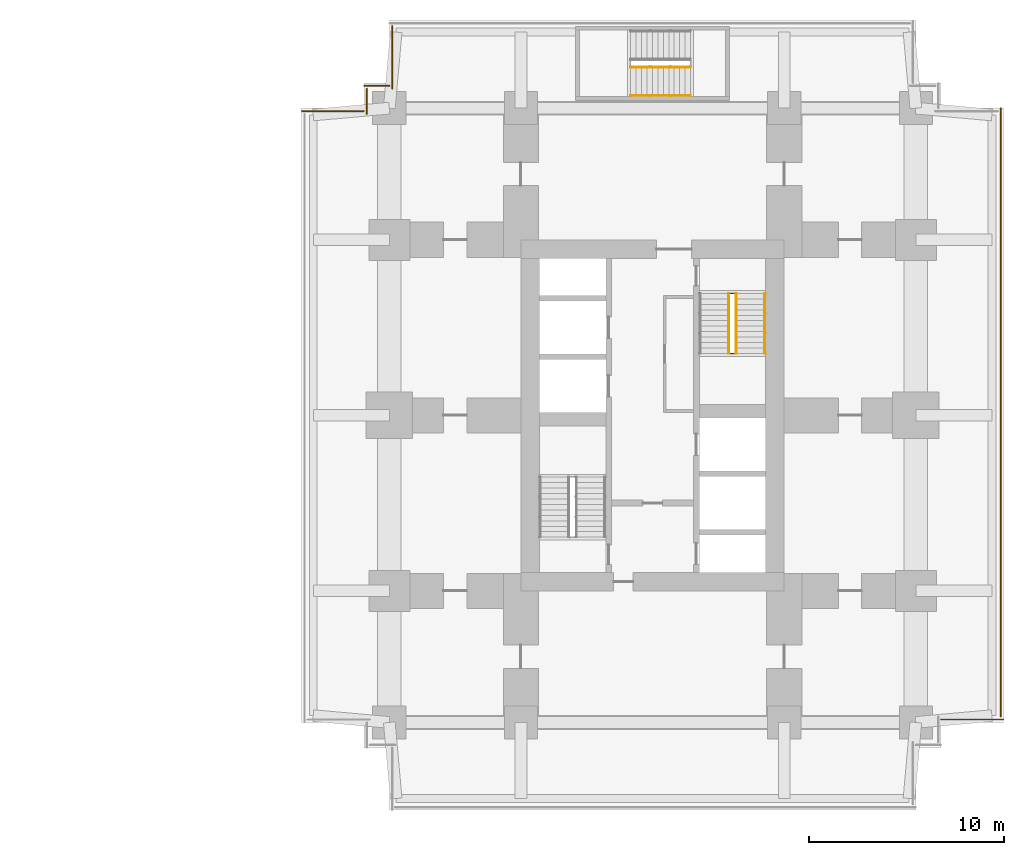
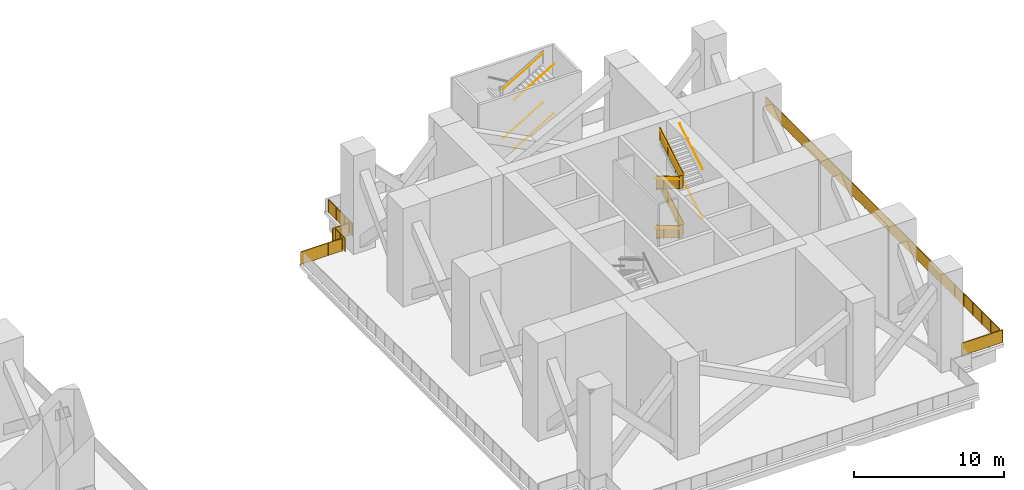
# One storey, part 11 of 12: 17 railings.
"""IFC4 building model written with IfcOpenShell, lengths in metres."""

import ifcopenshell
import ifcopenshell.guid

model = None  # the IFC model being written
_history = None  # IfcOwnerHistory: only IFC2X3 demands one
_inside = {}  # id of a spatial element -> (the spatial element, [elements in it])
_under = {}  # id of a project, library or spatial element -> (it, [spatial elements below it])
_declared = {}  # id of a project -> (the project, [libraries it declares])
_typed = {}  # id of a type object -> (the type object, [elements of that type])
_made_of = {}  # id of a material, layer set ... -> (it, [elements and type objects made of it])


def new_model(schema):
    """Start an empty IFC model of exactly this schema.

    Asked for "IFC4X3", IfcOpenShell would pick the latest addendum, in which some entities
    have other attributes; the version numbers below select the first issue.
    IFC2X3 requires an IfcOwnerHistory on every rooted entity: one is made here for all.
    """
    global model, _history
    if schema == "IFC4X3":
        model = ifcopenshell.file(schema_version=(4, 3, 0, 0))
    else:
        model = ifcopenshell.file(schema=schema)
    _inside.clear()
    _under.clear()
    _declared.clear()
    _typed.clear()
    _made_of.clear()
    _history = None
    if model.schema == "IFC2X3":
        org = make("IfcOrganization", Name="unknown")
        user = make(
            "IfcPersonAndOrganization",
            ThePerson=make("IfcPerson", FamilyName="unknown"),
            TheOrganization=org,
        )
        app = make(
            "IfcApplication",
            ApplicationDeveloper=org,
            Version="unknown",
            ApplicationFullName="unknown",
            ApplicationIdentifier="unknown",
        )
        _history = make(
            "IfcOwnerHistory",
            OwningUser=user,
            OwningApplication=app,
            ChangeAction="ADDED",
            CreationDate=0,
        )
    return model


def make(cls, **values):
    """One entity of the class cls with the attributes given. An attribute that is None is left unset."""
    return model.create_entity(
        cls, **{name: value for name, value in values.items() if value is not None}
    )


def rooted(cls, **values):
    """An entity with a GlobalId (a new one), such as an element, a storey or a relation."""
    return make(cls, GlobalId=ifcopenshell.guid.new(), OwnerHistory=_history, **values)


def si_unit(unit_type, name, prefix=None):
    """IfcSIUnit, for example si_unit("LENGTHUNIT", "METRE", prefix="MILLI")."""
    return make("IfcSIUnit", UnitType=unit_type, Prefix=prefix, Name=name)


def assignment(units):
    """IfcUnitAssignment: the units of a project."""
    return None if units is None else make("IfcUnitAssignment", Units=units)


def point(xyz):
    """IfcCartesianPoint."""
    return None if xyz is None else make("IfcCartesianPoint", Coordinates=xyz)


def direction(xyz):
    """IfcDirection."""
    return None if xyz is None else make("IfcDirection", DirectionRatios=xyz)


def frame(location, z_axis=None, x_axis=None):
    """IfcAxis2Placement3D, a coordinate frame: its origin and axes. An axis left out is left unset."""
    return make(
        "IfcAxis2Placement3D",
        Location=point(location),
        Axis=direction(z_axis),
        RefDirection=direction(x_axis),
    )


def frame_2d(location, x_axis=None):
    """IfcAxis2Placement2D, a coordinate frame in the plane: its origin and x axis."""
    return make(
        "IfcAxis2Placement2D", Location=point(location), RefDirection=direction(x_axis)
    )


def origin():
    """The frame at (0, 0, 0) with its axes left unset."""
    return frame((0.0, 0.0, 0.0))


def origin_2d():
    """The frame at (0, 0) in the plane with its x axis left unset."""
    return frame_2d((0.0, 0.0))


def place(relative_to, where):
    """IfcLocalPlacement: puts the frame where relative to a parent placement (None: the world)."""
    return make(
        "IfcLocalPlacement", PlacementRelTo=relative_to, RelativePlacement=where
    )


def context(
    kind, dimensions, precision=None, world=None, true_north=None, identifier=None
):
    """IfcGeometricRepresentationContext, for example the 3D "Model" context."""
    return make(
        "IfcGeometricRepresentationContext",
        ContextIdentifier=identifier,
        ContextType=kind,
        CoordinateSpaceDimension=dimensions,
        Precision=precision,
        WorldCoordinateSystem=world,
        TrueNorth=true_north,
    )


def subcontext(parent, identifier, kind, view, scale=None):
    """IfcGeometricRepresentationSubContext, for example "Body" below "Model"."""
    return make(
        "IfcGeometricRepresentationSubContext",
        ContextIdentifier=identifier,
        ContextType=kind,
        ParentContext=parent,
        TargetScale=scale,
        TargetView=view,
    )


def project(units=None, contexts=None):
    """IfcProject with its units and contexts."""
    return rooted(
        "IfcProject",
        Name="project",
        RepresentationContexts=contexts,
        UnitsInContext=assignment(units),
    )


def spatial(cls, under=None, at=None, **own):
    """A site, building, storey or space (cls), placed at a placement, below another one or the project."""
    s = rooted(cls, ObjectPlacement=at, **own)
    if under is not None:
        _under.setdefault(under.id(), (under, []))[1].append(s)
    return s


def polyline(points):
    """IfcPolyline through the points."""
    return make("IfcPolyline", Points=[point(p) for p in points])


def profile(cls, at=None, kind="AREA", **sizes):
    """A parametric profile (cls). Its sizes go by their IFC names, for example OverallWidth=200.0."""
    return make(cls, ProfileType=kind, Position=at, **sizes)


def circle(**sizes):
    """IfcCircleProfileDef."""
    return profile("IfcCircleProfileDef", **sizes)


def outline(outer, holes=None, kind="AREA"):
    """IfcArbitraryClosedProfileDef: a profile drawn as a closed curve; with holes, ...WithVoids."""
    if holes is None:
        return make("IfcArbitraryClosedProfileDef", ProfileType=kind, OuterCurve=outer)
    return make(
        "IfcArbitraryProfileDefWithVoids",
        ProfileType=kind,
        OuterCurve=outer,
        InnerCurves=holes,
    )


def extrude(swept, where, along, depth):
    """IfcExtrudedAreaSolid: the profile swept, set in the frame where, extruded along a direction by depth."""
    return make(
        "IfcExtrudedAreaSolid",
        SweptArea=swept,
        Position=where,
        ExtrudedDirection=direction(along),
        Depth=depth,
    )


def shape(context_of_items, identifier, shape_type, items):
    """IfcShapeRepresentation: the items that make up one representation, for example the "Body"."""
    return make(
        "IfcShapeRepresentation",
        ContextOfItems=context_of_items,
        RepresentationIdentifier=identifier,
        RepresentationType=shape_type,
        Items=items,
    )


def material(Name=None, Category=None):
    """IfcMaterial."""
    return make("IfcMaterial", Name=Name, Category=Category)


def made_of(thing, what):
    """Note that an element or type object is made of a material, layer set ...; save() writes the relation."""
    if what is not None:
        _made_of.setdefault(what.id(), (what, []))[1].append(thing)
    return thing


def type_object(cls, material=None, **own):
    """A type object (cls), such as IfcWallType, which elements share."""
    return made_of(rooted(cls, **own), material)


def element(
    cls,
    number,
    at=None,
    inside=None,
    cuts=None,
    type_object=None,
    material=None,
    context=None,
    identifier="Body",
    shape_type=None,
    held_by="IfcProductDefinitionShape",
    body=None,
    shapes=None,
    **own,
):
    """One element of the class cls, such as IfcWall. Its Tag is "e" and its number.

    at: its placement. inside: the storey or other place that contains it. cuts: it is an
    opening in that element (IfcRelVoidsElement). A single representation is given by context,
    identifier, shape_type and body (its items); several are given by shapes. held_by: the class
    of the entity that holds the representations. save() writes the other relations.
    """
    e = rooted(cls, Tag="e%d" % number, ObjectPlacement=at, **own)
    if body is not None:
        shapes = [shape(context, identifier, shape_type, body)]
    if shapes is not None:
        e.Representation = make(held_by, Representations=shapes)
    if inside is not None:
        _inside.setdefault(inside.id(), (inside, []))[1].append(e)
    if cuts is not None:
        rooted(
            "IfcRelVoidsElement", RelatingBuildingElement=cuts, RelatedOpeningElement=e
        )
    if type_object is not None:
        _typed.setdefault(type_object.id(), (type_object, []))[1].append(e)
    return made_of(e, material)


def aggregate(whole, parts):
    """IfcRelAggregates: a whole, such as a stair, and the parts it consists of."""
    return rooted("IfcRelAggregates", RelatingObject=whole, RelatedObjects=parts)


def save(model, path):
    """Write the relations noted so far, then the file.

    IfcRelAggregates (storeys below a building ...), IfcRelContainedInSpatialStructure (elements
    in a storey), IfcRelDefinesByType, IfcRelAssociatesMaterial and IfcRelDeclares: one each for
    every whole, place, type object, material and project.
    """
    for whole, parts in _under.values():
        aggregate(whole, parts)
    for where, things in _inside.values():
        rooted(
            "IfcRelContainedInSpatialStructure",
            RelatedElements=things,
            RelatingStructure=where,
        )
    for kind, things in _typed.values():
        rooted("IfcRelDefinesByType", RelatedObjects=things, RelatingType=kind)
    for what, things in _made_of.values():
        rooted("IfcRelAssociatesMaterial", RelatedObjects=things, RelatingMaterial=what)
    for by, libraries in _declared.values():
        rooted("IfcRelDeclares", RelatingContext=by, RelatedDefinitions=libraries)
    model.write(path)


model = new_model("IFC4")

# Units and contexts
model_context = context("Model", 3, precision=1e-05, world=origin(), true_north=direction((0.0, 1.0)))
body_context = subcontext(model_context, "Body", "Model", "MODEL_VIEW")
ifc_project = project(units=[si_unit("LENGTHUNIT", "METRE"), si_unit("AREAUNIT", "SQUARE_METRE"), si_unit("VOLUMEUNIT", "CUBIC_METRE"), si_unit("PLANEANGLEUNIT", "RADIAN"), si_unit("MASSUNIT", "GRAM", prefix="KILO")], contexts=[model_context])

# Site, building, storey
site_placement = place(None, origin())
site = spatial("IfcSite", under=ifc_project, at=site_placement, CompositionType="ELEMENT")
building_placement = place(site_placement, origin())
building = spatial("IfcBuilding", under=site, at=building_placement, Name="Namib Vertical Campus", CompositionType="ELEMENT")
storey_placement = place(building_placement, frame((0.0, 0.0, 77.0)))
storey = spatial("IfcBuildingStorey", under=building, at=storey_placement, Name="L18", CompositionType="ELEMENT", Elevation=77.0)

# Railings
ifc_material_1 = material(Name="Toughened glass balustrade", Category="glass")
railing_type_1 = type_object("IfcRailingType", Name="Edge guard 1100", PredefinedType="GUARDRAIL", material=ifc_material_1)
railing_1_placement = place(storey_placement, frame((95.800048828125, 4.64990234375, 0.0)))
element("IfcRailing", 1, at=railing_1_placement, inside=storey, type_object=railing_type_1, Name="Refuge edge guard GR2 B L18 5", PredefinedType="GUARDRAIL", context=body_context, shape_type="SweptSolid", body=[
    extrude(circle(Radius=0.02392578125, at=origin_2d()), frame((0.0, 0.0, 1.076171875), z_axis=(1.0, 0.0, 0.0), x_axis=(0.0, 1.0, 0.0)), (0.0, 0.0, 1.0), 3.199951171875),
    extrude(outline(polyline([(0.02099609375, 0.050048828125), (3.178955078125, 0.050048828125), (3.178955078125, 1.052001953125), (0.02099609375, 1.052001953125), (0.02099609375, 0.050048828125)])), frame((0.0, 0.0107421875, 0.0), z_axis=(0.0, -1.0, 0.0), x_axis=(1.0, 0.0, 0.0)), (0.0, 0.0, 1.0), 0.021484375),
    extrude(circle(Radius=0.02099609375, at=origin_2d()), origin(), (0.0, 0.0, 1.0), 1.052001953125),
    extrude(circle(Radius=0.02099609375, at=origin_2d()), frame((1.066650390625, 0.0, 0.0)), (0.0, 0.0, 1.0), 1.052001953125),
    extrude(circle(Radius=0.02099609375, at=origin_2d()), frame((2.13330078125, 0.0, 0.0)), (0.0, 0.0, 1.0), 1.052001953125),
    extrude(circle(Radius=0.02099609375, at=origin_2d()), frame((3.199951171875, 0.0, 0.0)), (0.0, 0.0, 1.0), 1.052001953125),
])
railing_2_placement = place(storey_placement, frame((98.85009765625, 4.800048828125, 0.0)))
element("IfcRailing", 2, at=railing_2_placement, inside=storey, type_object=railing_type_1, Name="Refuge edge guard GR2 B L18 6", PredefinedType="GUARDRAIL", context=body_context, shape_type="SweptSolid", body=[
    extrude(circle(Radius=0.02392578125, at=origin_2d()), frame((0.0, 0.0, 1.076171875), z_axis=(0.0, 1.0, 0.0), x_axis=(-1.0, 0.0, 0.0)), (0.0, 0.0, 1.0), 31.199951171875),
    extrude(outline(polyline([(0.02099609375, 0.050048828125), (31.178955078125, 0.050048828125), (31.178955078125, 1.052001953125), (0.02099609375, 1.052001953125), (0.02099609375, 0.050048828125)])), frame((-0.0107421875, 0.0, 0.0), z_axis=(1.0, 0.0, 0.0), x_axis=(0.0, 1.0, 0.0)), (0.0, 0.0, 1.0), 0.021484375),
    extrude(circle(Radius=0.02099609375, at=origin_2d()), origin(), (0.0, 0.0, 1.0), 1.052001953125),
    extrude(circle(Radius=0.02099609375, at=origin_2d()), frame((0.0, 1.199951171875, 0.0)), (0.0, 0.0, 1.0), 1.052001953125),
    extrude(circle(Radius=0.02099609375, at=origin_2d()), frame((0.0, 2.39990234375, 0.0)), (0.0, 0.0, 1.0), 1.052001953125),
    extrude(circle(Radius=0.02099609375, at=origin_2d()), frame((0.0, 3.60009765625, 0.0)), (0.0, 0.0, 1.0), 1.052001953125),
    extrude(circle(Radius=0.02099609375, at=origin_2d()), frame((0.0, 4.800048828125, 0.0)), (0.0, 0.0, 1.0), 1.052001953125),
    extrude(circle(Radius=0.02099609375, at=origin_2d()), frame((0.0, 6.0, 0.0)), (0.0, 0.0, 1.0), 1.052001953125),
    extrude(circle(Radius=0.02099609375, at=origin_2d()), frame((0.0, 7.199951171875, 0.0)), (0.0, 0.0, 1.0), 1.052001953125),
    extrude(circle(Radius=0.02099609375, at=origin_2d()), frame((0.0, 8.39990234375, 0.0)), (0.0, 0.0, 1.0), 1.052001953125),
    extrude(circle(Radius=0.02099609375, at=origin_2d()), frame((0.0, 9.60009765625, 0.0)), (0.0, 0.0, 1.0), 1.052001953125),
    extrude(circle(Radius=0.02099609375, at=origin_2d()), frame((0.0, 10.800048828125, 0.0)), (0.0, 0.0, 1.0), 1.052001953125),
    extrude(circle(Radius=0.02099609375, at=origin_2d()), frame((0.0, 12.0, 0.0)), (0.0, 0.0, 1.0), 1.052001953125),
    extrude(circle(Radius=0.02099609375, at=origin_2d()), frame((0.0, 13.199951171875, 0.0)), (0.0, 0.0, 1.0), 1.052001953125),
    extrude(circle(Radius=0.02099609375, at=origin_2d()), frame((0.0, 14.39990234375, 0.0)), (0.0, 0.0, 1.0), 1.052001953125),
    extrude(circle(Radius=0.02099609375, at=origin_2d()), frame((0.0, 15.60009765625, 0.0)), (0.0, 0.0, 1.0), 1.052001953125),
    extrude(circle(Radius=0.02099609375, at=origin_2d()), frame((0.0, 16.800048828125, 0.0)), (0.0, 0.0, 1.0), 1.052001953125),
    extrude(circle(Radius=0.02099609375, at=origin_2d()), frame((0.0, 18.0, 0.0)), (0.0, 0.0, 1.0), 1.052001953125),
    extrude(circle(Radius=0.02099609375, at=origin_2d()), frame((0.0, 19.199951171875, 0.0)), (0.0, 0.0, 1.0), 1.052001953125),
    extrude(circle(Radius=0.02099609375, at=origin_2d()), frame((0.0, 20.39990234375, 0.0)), (0.0, 0.0, 1.0), 1.052001953125),
    extrude(circle(Radius=0.02099609375, at=origin_2d()), frame((0.0, 21.599853515625, 0.0)), (0.0, 0.0, 1.0), 1.052001953125),
    extrude(circle(Radius=0.02099609375, at=origin_2d()), frame((0.0, 22.800048828125, 0.0)), (0.0, 0.0, 1.0), 1.052001953125),
    extrude(circle(Radius=0.02099609375, at=origin_2d()), frame((0.0, 24.0, 0.0)), (0.0, 0.0, 1.0), 1.052001953125),
    extrude(circle(Radius=0.02099609375, at=origin_2d()), frame((0.0, 25.199951171875, 0.0)), (0.0, 0.0, 1.0), 1.052001953125),
    extrude(circle(Radius=0.02099609375, at=origin_2d()), frame((0.0, 26.39990234375, 0.0)), (0.0, 0.0, 1.0), 1.052001953125),
    extrude(circle(Radius=0.02099609375, at=origin_2d()), frame((0.0, 27.599853515625, 0.0)), (0.0, 0.0, 1.0), 1.052001953125),
    extrude(circle(Radius=0.02099609375, at=origin_2d()), frame((0.0, 28.800048828125, 0.0)), (0.0, 0.0, 1.0), 1.052001953125),
    extrude(circle(Radius=0.02099609375, at=origin_2d()), frame((0.0, 30.0, 0.0)), (0.0, 0.0, 1.0), 1.052001953125),
    extrude(circle(Radius=0.02099609375, at=origin_2d()), frame((0.0, 31.199951171875, 0.0)), (0.0, 0.0, 1.0), 1.052001953125),
])
railing_3_placement = place(storey_placement, frame((67.64990234375, 40.199951171875, 0.0)))
element("IfcRailing", 3, at=railing_3_placement, inside=storey, type_object=railing_type_1, Name="Refuge edge guard GR2 B L18 12", PredefinedType="GUARDRAIL", context=body_context, shape_type="SweptSolid", body=[
    extrude(circle(Radius=0.02392578125, at=origin_2d()), frame((0.0, 0.0, 1.076171875), z_axis=(0.0, -1.0, 0.0), x_axis=(1.0, 0.0, 0.0)), (0.0, 0.0, 1.0), 3.199951171875),
    extrude(outline(polyline([(0.02099609375, 0.050048828125), (3.178955078125, 0.050048828125), (3.178955078125, 1.052001953125), (0.02099609375, 1.052001953125), (0.02099609375, 0.050048828125)])), frame((0.0107421875, 0.0, 0.0), z_axis=(-1.0, 0.0, 0.0), x_axis=(0.0, -1.0, 0.0)), (0.0, 0.0, 1.0), 0.021484375),
    extrude(circle(Radius=0.02099609375, at=origin_2d()), origin(), (0.0, 0.0, 1.0), 1.052001953125),
    extrude(circle(Radius=0.02099609375, at=origin_2d()), frame((0.0, -1.066650390625, 0.0)), (0.0, 0.0, 1.0), 1.052001953125),
    extrude(circle(Radius=0.02099609375, at=origin_2d()), frame((0.0, -2.13330078125, 0.0)), (0.0, 0.0, 1.0), 1.052001953125),
    extrude(circle(Radius=0.02099609375, at=origin_2d()), frame((0.0, -3.199951171875, 0.0)), (0.0, 0.0, 1.0), 1.052001953125),
])
railing_4_placement = place(storey_placement, frame((67.5, 37.14990234375, 0.0)))
element("IfcRailing", 4, at=railing_4_placement, inside=storey, type_object=railing_type_1, Name="Refuge edge guard GR2 B L18 13", PredefinedType="GUARDRAIL", context=body_context, shape_type="SweptSolid", body=[
    extrude(circle(Radius=0.02392578125, at=origin_2d()), frame((0.0, 0.0, 1.076171875), z_axis=(-1.0, 0.0, 0.0), x_axis=(0.0, -1.0, 0.0)), (0.0, 0.0, 1.0), 1.300048828125),
    extrude(outline(polyline([(0.02099609375, 0.050048828125), (1.279052734375, 0.050048828125), (1.279052734375, 1.052001953125), (0.02099609375, 1.052001953125), (0.02099609375, 0.050048828125)])), frame((0.0, -0.0107421875, 0.0), z_axis=(0.0, 1.0, 0.0), x_axis=(-1.0, 0.0, 0.0)), (0.0, 0.0, 1.0), 0.021484375),
    extrude(circle(Radius=0.02099609375, at=origin_2d()), origin(), (0.0, 0.0, 1.0), 1.052001953125),
    extrude(circle(Radius=0.02099609375, at=origin_2d()), frame((-0.64990234375, 0.0, 0.0)), (0.0, 0.0, 1.0), 1.052001953125),
    extrude(circle(Radius=0.02099609375, at=origin_2d()), frame((-1.300048828125, 0.0, 0.0)), (0.0, 0.0, 1.0), 1.052001953125),
])
railing_5_placement = place(storey_placement, frame((66.35009765625, 37.0, 0.0)))
element("IfcRailing", 5, at=railing_5_placement, inside=storey, type_object=railing_type_1, Name="Refuge edge guard GR2 B L18 14", PredefinedType="GUARDRAIL", context=body_context, shape_type="SweptSolid", body=[
    extrude(circle(Radius=0.02392578125, at=origin_2d()), frame((0.0, 0.0, 1.076171875), z_axis=(0.0, -1.0, 0.0), x_axis=(1.0, 0.0, 0.0)), (0.0, 0.0, 1.0), 1.300048828125),
    extrude(outline(polyline([(0.02099609375, 0.050048828125), (1.279052734375, 0.050048828125), (1.279052734375, 1.052001953125), (0.02099609375, 1.052001953125), (0.02099609375, 0.050048828125)])), frame((0.0107421875, 0.0, 0.0), z_axis=(-1.0, 0.0, 0.0), x_axis=(0.0, -1.0, 0.0)), (0.0, 0.0, 1.0), 0.021484375),
    extrude(circle(Radius=0.02099609375, at=origin_2d()), origin(), (0.0, 0.0, 1.0), 1.052001953125),
    extrude(circle(Radius=0.02099609375, at=origin_2d()), frame((0.0, -0.64990234375, 0.0)), (0.0, 0.0, 1.0), 1.052001953125),
    extrude(circle(Radius=0.02099609375, at=origin_2d()), frame((0.0, -1.300048828125, 0.0)), (0.0, 0.0, 1.0), 1.052001953125),
])
railing_6_placement = place(storey_placement, frame((66.199951171875, 35.85009765625, 0.0)))
element("IfcRailing", 6, at=railing_6_placement, inside=storey, type_object=railing_type_1, Name="Refuge edge guard GR2 B L18 15", PredefinedType="GUARDRAIL", context=body_context, shape_type="SweptSolid", body=[
    extrude(circle(Radius=0.02392578125, at=origin_2d()), frame((0.0, 0.0, 1.076171875), z_axis=(-1.0, 0.0, 0.0), x_axis=(0.0, -1.0, 0.0)), (0.0, 0.0, 1.0), 3.199951171875),
    extrude(outline(polyline([(0.02099609375, 0.050048828125), (3.178955078125, 0.050048828125), (3.178955078125, 1.052001953125), (0.02099609375, 1.052001953125), (0.02099609375, 0.050048828125)])), frame((0.0, -0.0107421875, 0.0), z_axis=(0.0, 1.0, 0.0), x_axis=(-1.0, 0.0, 0.0)), (0.0, 0.0, 1.0), 0.021484375),
    extrude(circle(Radius=0.02099609375, at=origin_2d()), origin(), (0.0, 0.0, 1.0), 1.052001953125),
    extrude(circle(Radius=0.02099609375, at=origin_2d()), frame((-1.066650390625, 0.0, 0.0)), (0.0, 0.0, 1.0), 1.052001953125),
    extrude(circle(Radius=0.02099609375, at=origin_2d()), frame((-2.13330078125, 0.0, 0.0)), (0.0, 0.0, 1.0), 1.052001953125),
    extrude(circle(Radius=0.02099609375, at=origin_2d()), frame((-3.199951171875, 0.0, 0.0)), (0.0, 0.0, 1.0), 1.052001953125),
])
ifc_material_2 = material(Name="Steel handrail", Category="steel")
railing_type_2 = type_object("IfcRailingType", Name="Handrail 900", PredefinedType="HANDRAIL", material=ifc_material_2)
for number, where, name in (
    (7, (86.75, 23.419921875, 2.166748046875), "Handrail HR1 B-S2 L18 2"),
    (8, (86.75, 23.419921875, 6.166748046875), "Handrail HR1 B-S2 L18 4"),
):
    element("IfcRailing", number, at=place(storey_placement, frame(where)), inside=storey, type_object=railing_type_2, Name=name, PredefinedType="HANDRAIL", context=body_context, shape_type="SweptSolid", body=[
        extrude(circle(Radius=0.02392578125, at=origin_2d()), frame((0.0, 0.0, 0.8759765625), z_axis=(0.0, 0.859308565015, 0.511457515432), x_axis=(-1.0, 0.0, 0.0)), (0.0, 0.0, 1.0), 3.58447265625),
        extrude(circle(Radius=0.008056640625, at=origin_2d()), frame((0.0, 0.0, 0.8759765625), z_axis=(1.0, 0.0, 0.0), x_axis=(0.0, 0.0, 1.0)), (0.0, 0.0, 1.0), 0.050048828125),
        extrude(circle(Radius=0.008056640625, at=origin_2d()), frame((0.0, 1.026611328125, 1.48681640625), z_axis=(1.0, 0.0, 0.0), x_axis=(0.0, 0.0, 1.0)), (0.0, 0.0, 1.0), 0.050048828125),
        extrude(circle(Radius=0.008056640625, at=origin_2d()), frame((0.0, 2.053466796875, 2.09814453125), z_axis=(1.0, 0.0, 0.0), x_axis=(0.0, 0.0, 1.0)), (0.0, 0.0, 1.0), 0.050048828125),
        extrude(circle(Radius=0.008056640625, at=origin_2d()), frame((0.0, 3.080078125, 2.708984375), z_axis=(1.0, 0.0, 0.0), x_axis=(0.0, 0.0, 1.0)), (0.0, 0.0, 1.0), 0.050048828125),
    ])
railing_7_placement = place(storey_placement, frame((84.89990234375, 26.5, 0.166748046875)))
element("IfcRailing", 9, at=railing_7_placement, inside=storey, type_object=railing_type_2, Name="Handrail HR1 B-S2 L18 1 at the well", PredefinedType="HANDRAIL", context=body_context, shape_type="SweptSolid", body=[
    extrude(circle(Radius=0.02392578125, at=origin_2d()), frame((0.0, 0.0, 0.8759765625), z_axis=(0.0, -0.859308565015, 0.511457515432), x_axis=(1.0, 0.0, 0.0)), (0.0, 0.0, 1.0), 3.58447265625),
    extrude(circle(Radius=0.008056640625, at=origin_2d()), frame((0.0, 0.0, 0.8759765625), z_axis=(1.0, 0.0, 0.0), x_axis=(0.0, 0.0, 1.0)), (0.0, 0.0, 1.0), 0.0400390625),
    extrude(circle(Radius=0.008056640625, at=origin_2d()), frame((0.0, -1.026611328125, 1.48681640625), z_axis=(1.0, 0.0, 0.0), x_axis=(0.0, 0.0, 1.0)), (0.0, 0.0, 1.0), 0.0400390625),
    extrude(circle(Radius=0.008056640625, at=origin_2d()), frame((0.0, -2.053466796875, 2.09814453125), z_axis=(1.0, 0.0, 0.0), x_axis=(0.0, 0.0, 1.0)), (0.0, 0.0, 1.0), 0.0400390625),
    extrude(circle(Radius=0.008056640625, at=origin_2d()), frame((0.0, -3.080078125, 2.708984375), z_axis=(1.0, 0.0, 0.0), x_axis=(0.0, 0.0, 1.0)), (0.0, 0.0, 1.0), 0.0400390625),
])
railing_8_placement = place(storey_placement, frame((85.300048828125, 23.419921875, 2.166748046875)))
element("IfcRailing", 10, at=railing_8_placement, inside=storey, type_object=railing_type_2, Name="Handrail HR1 B-S2 L18 2 at the well", PredefinedType="HANDRAIL", context=body_context, shape_type="SweptSolid", body=[
    extrude(circle(Radius=0.02392578125, at=origin_2d()), frame((0.0, 0.0, 0.8759765625), z_axis=(0.0, 0.859308565015, 0.511457515432), x_axis=(-1.0, 0.0, 0.0)), (0.0, 0.0, 1.0), 3.58447265625),
    extrude(circle(Radius=0.008056640625, at=origin_2d()), frame((0.0, 0.0, 0.8759765625), z_axis=(-1.0, 0.0, 0.0), x_axis=(0.0, 0.0, 1.0)), (0.0, 0.0, 1.0), 0.0400390625),
    extrude(circle(Radius=0.008056640625, at=origin_2d()), frame((0.0, 1.026611328125, 1.48681640625), z_axis=(-1.0, 0.0, 0.0), x_axis=(0.0, 0.0, 1.0)), (0.0, 0.0, 1.0), 0.0400390625),
    extrude(circle(Radius=0.008056640625, at=origin_2d()), frame((0.0, 2.053466796875, 2.09814453125), z_axis=(-1.0, 0.0, 0.0), x_axis=(0.0, 0.0, 1.0)), (0.0, 0.0, 1.0), 0.0400390625),
    extrude(circle(Radius=0.008056640625, at=origin_2d()), frame((0.0, 3.080078125, 2.708984375), z_axis=(-1.0, 0.0, 0.0), x_axis=(0.0, 0.0, 1.0)), (0.0, 0.0, 1.0), 0.0400390625),
])
railing_9_placement = place(storey_placement, frame((84.89990234375, 26.5, 4.166748046875)))
element("IfcRailing", 11, at=railing_9_placement, inside=storey, type_object=railing_type_2, Name="Handrail HR1 B-S2 L18 3 at the well", PredefinedType="HANDRAIL", context=body_context, shape_type="SweptSolid", body=[
    extrude(circle(Radius=0.02392578125, at=origin_2d()), frame((0.0, 0.0, 0.8759765625), z_axis=(0.0, -0.859308565015, 0.511457515432), x_axis=(1.0, 0.0, 0.0)), (0.0, 0.0, 1.0), 3.58447265625),
    extrude(circle(Radius=0.008056640625, at=origin_2d()), frame((0.0, 0.0, 0.8759765625), z_axis=(1.0, 0.0, 0.0), x_axis=(0.0, 0.0, 1.0)), (0.0, 0.0, 1.0), 0.0400390625),
    extrude(circle(Radius=0.008056640625, at=origin_2d()), frame((0.0, -1.026611328125, 1.48681640625), z_axis=(1.0, 0.0, 0.0), x_axis=(0.0, 0.0, 1.0)), (0.0, 0.0, 1.0), 0.0400390625),
    extrude(circle(Radius=0.008056640625, at=origin_2d()), frame((0.0, -2.053466796875, 2.09814453125), z_axis=(1.0, 0.0, 0.0), x_axis=(0.0, 0.0, 1.0)), (0.0, 0.0, 1.0), 0.0400390625),
    extrude(circle(Radius=0.008056640625, at=origin_2d()), frame((0.0, -3.080078125, 2.708984375), z_axis=(1.0, 0.0, 0.0), x_axis=(0.0, 0.0, 1.0)), (0.0, 0.0, 1.0), 0.0400390625),
])
railing_10_placement = place(storey_placement, frame((85.300048828125, 23.419921875, 6.166748046875)))
element("IfcRailing", 12, at=railing_10_placement, inside=storey, type_object=railing_type_2, Name="Handrail HR1 B-S2 L18 4 at the well", PredefinedType="HANDRAIL", context=body_context, shape_type="SweptSolid", body=[
    extrude(circle(Radius=0.02392578125, at=origin_2d()), frame((0.0, 0.0, 0.8759765625), z_axis=(0.0, 0.859308565015, 0.511457515432), x_axis=(-1.0, 0.0, 0.0)), (0.0, 0.0, 1.0), 3.58447265625),
    extrude(circle(Radius=0.008056640625, at=origin_2d()), frame((0.0, 0.0, 0.8759765625), z_axis=(-1.0, 0.0, 0.0), x_axis=(0.0, 0.0, 1.0)), (0.0, 0.0, 1.0), 0.0400390625),
    extrude(circle(Radius=0.008056640625, at=origin_2d()), frame((0.0, 1.026611328125, 1.48681640625), z_axis=(-1.0, 0.0, 0.0), x_axis=(0.0, 0.0, 1.0)), (0.0, 0.0, 1.0), 0.0400390625),
    extrude(circle(Radius=0.008056640625, at=origin_2d()), frame((0.0, 2.053466796875, 2.09814453125), z_axis=(-1.0, 0.0, 0.0), x_axis=(0.0, 0.0, 1.0)), (0.0, 0.0, 1.0), 0.0400390625),
    extrude(circle(Radius=0.008056640625, at=origin_2d()), frame((0.0, 3.080078125, 2.708984375), z_axis=(-1.0, 0.0, 0.0), x_axis=(0.0, 0.0, 1.0)), (0.0, 0.0, 1.0), 0.0400390625),
])
for number, where, name in (
    (13, (79.8701171875, 36.64990234375, 2.166748046875), "Handrail HR1 B-S3 L18 2"),
    (14, (79.8701171875, 36.64990234375, 6.166748046875), "Handrail HR1 B-S3 L18 4"),
):
    element("IfcRailing", number, at=place(storey_placement, frame(where)), inside=storey, type_object=railing_type_2, Name=name, PredefinedType="HANDRAIL", context=body_context, shape_type="SweptSolid", body=[
        extrude(circle(Radius=0.02392578125, at=origin_2d()), frame((0.0, 0.0, 0.8759765625), z_axis=(0.859290745958, 0.0, 0.51148745235), x_axis=(0.0, 1.0, 0.0)), (0.0, 0.0, 1.0), 3.584228515625),
        extrude(circle(Radius=0.008056640625, at=origin_2d()), frame((0.0, 0.0, 0.8759765625), z_axis=(0.0, -1.0, 0.0), x_axis=(0.0, 0.0, 1.0)), (0.0, 0.0, 1.0), 0.050048828125),
        extrude(circle(Radius=0.008056640625, at=origin_2d()), frame((1.026611328125, 0.0, 1.48681640625), z_axis=(0.0, -1.0, 0.0), x_axis=(0.0, 0.0, 1.0)), (0.0, 0.0, 1.0), 0.050048828125),
        extrude(circle(Radius=0.008056640625, at=origin_2d()), frame((2.05322265625, 0.0, 2.09814453125), z_axis=(0.0, -1.0, 0.0), x_axis=(0.0, 0.0, 1.0)), (0.0, 0.0, 1.0), 0.050048828125),
        extrude(circle(Radius=0.008056640625, at=origin_2d()), frame((3.079833984375, 0.0, 2.708984375), z_axis=(0.0, -1.0, 0.0), x_axis=(0.0, 0.0, 1.0)), (0.0, 0.0, 1.0), 0.050048828125),
    ])
for number, where, name in (
    (15, (79.8701171875, 38.10009765625, 2.166748046875), "Handrail HR1 B-S3 L18 2 at the well"),
    (16, (79.8701171875, 38.10009765625, 6.166748046875), "Handrail HR1 B-S3 L18 4 at the well"),
):
    element("IfcRailing", number, at=place(storey_placement, frame(where)), inside=storey, type_object=railing_type_2, Name=name, PredefinedType="HANDRAIL", context=body_context, shape_type="SweptSolid", body=[
        extrude(circle(Radius=0.02392578125, at=origin_2d()), frame((0.0, 0.0, 0.8759765625), z_axis=(0.859290745958, 0.0, 0.51148745235), x_axis=(0.0, 1.0, 0.0)), (0.0, 0.0, 1.0), 3.584228515625),
        extrude(circle(Radius=0.008056640625, at=origin_2d()), frame((0.0, 0.0, 0.8759765625), z_axis=(0.0, 1.0, 0.0), x_axis=(0.0, 0.0, 1.0)), (0.0, 0.0, 1.0), 0.0400390625),
        extrude(circle(Radius=0.008056640625, at=origin_2d()), frame((1.026611328125, 0.0, 1.48681640625), z_axis=(0.0, 1.0, 0.0), x_axis=(0.0, 0.0, 1.0)), (0.0, 0.0, 1.0), 0.0400390625),
        extrude(circle(Radius=0.008056640625, at=origin_2d()), frame((2.05322265625, 0.0, 2.09814453125), z_axis=(0.0, 1.0, 0.0), x_axis=(0.0, 0.0, 1.0)), (0.0, 0.0, 1.0), 0.0400390625),
        extrude(circle(Radius=0.008056640625, at=origin_2d()), frame((3.079833984375, 0.0, 2.708984375), z_axis=(0.0, 1.0, 0.0), x_axis=(0.0, 0.0, 1.0)), (0.0, 0.0, 1.0), 0.0400390625),
    ])
ifc_material_3 = material(Name="Steel balustrade", Category="steel")
railing_type_3 = type_object("IfcRailingType", Name="Stair guard 1100", PredefinedType="GUARDRAIL", material=ifc_material_3)
railing_11_placement = place(storey_placement, frame((85.25, 26.5, 0.0)))
element("IfcRailing", 17, at=railing_11_placement, inside=storey, type_object=railing_type_3, Name="Stair guard GR1 B-S2 L18", PredefinedType="GUARDRAIL", context=body_context, shape_type="SweptSolid", body=[
    extrude(circle(Radius=0.02392578125, at=origin_2d()), frame((0.0, 0.0, 1.076171875), z_axis=(-1.0, 0.0, 0.0), x_axis=(0.0, -1.0, 0.0)), (0.0, 0.0, 1.0), 0.300048828125),
    extrude(outline(polyline([(0.02099609375, 0.050048828125), (0.279052734375, 0.050048828125), (0.279052734375, 1.052001953125), (0.02099609375, 1.052001953125), (0.02099609375, 0.050048828125)])), frame((0.0, -0.010009765625, 0.0), z_axis=(0.0, 1.0, 0.0), x_axis=(-1.0, 0.0, 0.0)), (0.0, 0.0, 1.0), 0.02001953125),
    extrude(circle(Radius=0.02392578125, at=origin_2d()), frame((-0.300048828125, 0.0, 1.076171875), z_axis=(0.0, 0.0, 1.0), x_axis=(1.0, 0.0, 0.0)), (0.0, 0.0, 1.0), 0.166748046875),
    extrude(circle(Radius=0.02392578125, at=origin_2d()), frame((-0.300048828125, 0.0, 1.24267578125), z_axis=(0.0, -0.859308565015, 0.511457515432), x_axis=(1.0, 0.0, 0.0)), (0.0, 0.0, 1.0), 3.58447265625),
    extrude(outline(polyline([(0.02099609375, 0.0625), (3.05908203125, 1.870849609375), (3.05908203125, 2.872802734375), (0.02099609375, 1.064453125), (0.02099609375, 0.0625)])), frame((-0.2900390625, 0.0, 0.166748046875), z_axis=(-1.0, 0.0, 0.0), x_axis=(0.0, -1.0, 0.0)), (0.0, 0.0, 1.0), 0.02001953125),
    extrude(circle(Radius=0.02392578125, at=origin_2d()), frame((-0.300048828125, -3.080078125, 3.076171875), z_axis=(1.0, 0.0, 0.0), x_axis=(0.0, 1.0, 0.0)), (0.0, 0.0, 1.0), 0.300048828125),
    extrude(outline(polyline([(0.02099609375, 0.050048828125), (0.279052734375, 0.050048828125), (0.279052734375, 1.052001953125), (0.02099609375, 1.052001953125), (0.02099609375, 0.050048828125)])), frame((-0.300048828125, -3.070068359375, 2.0), z_axis=(0.0, -1.0, 0.0), x_axis=(1.0, 0.0, 0.0)), (0.0, 0.0, 1.0), 0.02001953125),
    extrude(circle(Radius=0.02392578125, at=origin_2d()), frame((0.0, -3.080078125, 3.076171875), z_axis=(0.0, 0.0, 1.0), x_axis=(1.0, 0.0, 0.0)), (0.0, 0.0, 1.0), 0.166748046875),
    extrude(circle(Radius=0.02392578125, at=origin_2d()), frame((0.0, -3.080078125, 3.24267578125), z_axis=(0.0, 0.859308565015, 0.511457515432), x_axis=(-1.0, 0.0, 0.0)), (0.0, 0.0, 1.0), 3.58447265625),
    extrude(outline(polyline([(0.02099609375, 0.0625), (3.05908203125, 1.870849609375), (3.05908203125, 2.872802734375), (0.02099609375, 1.064453125), (0.02099609375, 0.0625)])), frame((-0.010009765625, -3.080078125, 2.166748046875), z_axis=(1.0, 0.0, 0.0), x_axis=(0.0, 1.0, 0.0)), (0.0, 0.0, 1.0), 0.02001953125),
    extrude(circle(Radius=0.02392578125, at=origin_2d()), frame((0.0, 0.0, 5.076171875), z_axis=(-1.0, 0.0, 0.0), x_axis=(0.0, -1.0, 0.0)), (0.0, 0.0, 1.0), 0.300048828125),
    extrude(outline(polyline([(0.02099609375, 0.050048828125), (0.279052734375, 0.050048828125), (0.279052734375, 1.052001953125), (0.02099609375, 1.052001953125), (0.02099609375, 0.050048828125)])), frame((0.0, -0.010009765625, 4.0), z_axis=(0.0, 1.0, 0.0), x_axis=(-1.0, 0.0, 0.0)), (0.0, 0.0, 1.0), 0.02001953125),
    extrude(circle(Radius=0.02392578125, at=origin_2d()), frame((-0.300048828125, 0.0, 5.076171875), z_axis=(0.0, 0.0, 1.0), x_axis=(1.0, 0.0, 0.0)), (0.0, 0.0, 1.0), 0.166748046875),
    extrude(circle(Radius=0.02392578125, at=origin_2d()), frame((-0.300048828125, 0.0, 5.24267578125), z_axis=(0.0, -0.859308565015, 0.511457515432), x_axis=(1.0, 0.0, 0.0)), (0.0, 0.0, 1.0), 3.58447265625),
    extrude(outline(polyline([(0.02099609375, 0.0625), (3.05908203125, 1.870849609375), (3.05908203125, 2.872802734375), (0.02099609375, 1.064453125), (0.02099609375, 0.0625)])), frame((-0.2900390625, 0.0, 4.166748046875), z_axis=(-1.0, 0.0, 0.0), x_axis=(0.0, -1.0, 0.0)), (0.0, 0.0, 1.0), 0.02001953125),
    extrude(circle(Radius=0.02392578125, at=origin_2d()), frame((-0.300048828125, -3.080078125, 7.076171875), z_axis=(1.0, 0.0, 0.0), x_axis=(0.0, 1.0, 0.0)), (0.0, 0.0, 1.0), 0.300048828125),
    extrude(outline(polyline([(0.02099609375, 0.050048828125), (0.279052734375, 0.050048828125), (0.279052734375, 1.052001953125), (0.02099609375, 1.052001953125), (0.02099609375, 0.050048828125)])), frame((-0.300048828125, -3.070068359375, 6.0), z_axis=(0.0, -1.0, 0.0), x_axis=(1.0, 0.0, 0.0)), (0.0, 0.0, 1.0), 0.02001953125),
    extrude(circle(Radius=0.02392578125, at=origin_2d()), frame((0.0, -3.080078125, 7.076171875), z_axis=(0.0, 0.0, 1.0), x_axis=(1.0, 0.0, 0.0)), (0.0, 0.0, 1.0), 0.166748046875),
    extrude(circle(Radius=0.02392578125, at=origin_2d()), frame((0.0, -3.080078125, 7.24267578125), z_axis=(0.0, 0.859308565015, 0.511457515432), x_axis=(-1.0, 0.0, 0.0)), (0.0, 0.0, 1.0), 3.58447265625),
    extrude(outline(polyline([(0.02099609375, 0.0625), (3.05908203125, 1.870849609375), (3.05908203125, 2.872802734375), (0.02099609375, 1.064453125), (0.02099609375, 0.0625)])), frame((-0.010009765625, -3.080078125, 6.166748046875), z_axis=(1.0, 0.0, 0.0), x_axis=(0.0, 1.0, 0.0)), (0.0, 0.0, 1.0), 0.02001953125),
    extrude(circle(Radius=0.02392578125, at=origin_2d()), frame((0.0, 0.0, 9.076171875), z_axis=(0.0, 1.0, 0.0), x_axis=(-1.0, 0.0, 0.0)), (0.0, 0.0, 1.0), 0.050048828125),
    extrude(outline(polyline([(0.02099609375, 0.050048828125), (0.029052734375, 0.050048828125), (0.029052734375, 1.052001953125), (0.02099609375, 1.052001953125), (0.02099609375, 0.050048828125)])), frame((-0.010009765625, 0.0, 8.0), z_axis=(1.0, 0.0, 0.0), x_axis=(0.0, 1.0, 0.0)), (0.0, 0.0, 1.0), 0.02001953125),
    extrude(circle(Radius=0.02099609375, at=origin_2d()), origin(), (0.0, 0.0, 1.0), 1.052001953125),
    extrude(circle(Radius=0.02099609375, at=origin_2d()), frame((-0.300048828125, 0.0, 0.166748046875)), (0.0, 0.0, 1.0), 1.052001953125),
    extrude(circle(Radius=0.02099609375, at=origin_2d()), frame((-0.300048828125, -1.026611328125, 0.666748046875)), (0.0, 0.0, 1.0), 1.1630859375),
    extrude(circle(Radius=0.02099609375, at=origin_2d()), frame((-0.300048828125, -2.053466796875, 1.33349609375)), (0.0, 0.0, 1.0), 1.107421875),
    extrude(circle(Radius=0.02099609375, at=origin_2d()), frame((-0.300048828125, -3.080078125, 2.0)), (0.0, 0.0, 1.0), 1.052001953125),
    extrude(circle(Radius=0.02099609375, at=origin_2d()), frame((0.0, -3.080078125, 2.166748046875)), (0.0, 0.0, 1.0), 1.052001953125),
    extrude(circle(Radius=0.02099609375, at=origin_2d()), frame((0.0, -2.053466796875, 2.666748046875)), (0.0, 0.0, 1.0), 1.1630859375),
    extrude(circle(Radius=0.02099609375, at=origin_2d()), frame((0.0, -1.026611328125, 3.33349609375)), (0.0, 0.0, 1.0), 1.107421875),
    extrude(circle(Radius=0.02099609375, at=origin_2d()), frame((0.0, 0.0, 4.0)), (0.0, 0.0, 1.0), 1.052001953125),
    extrude(circle(Radius=0.02099609375, at=origin_2d()), frame((-0.300048828125, 0.0, 4.166748046875)), (0.0, 0.0, 1.0), 1.052001953125),
    extrude(circle(Radius=0.02099609375, at=origin_2d()), frame((-0.300048828125, -1.026611328125, 4.666748046875)), (0.0, 0.0, 1.0), 1.1630859375),
    extrude(circle(Radius=0.02099609375, at=origin_2d()), frame((-0.300048828125, -2.053466796875, 5.33349609375)), (0.0, 0.0, 1.0), 1.107421875),
    extrude(circle(Radius=0.02099609375, at=origin_2d()), frame((-0.300048828125, -3.080078125, 6.0)), (0.0, 0.0, 1.0), 1.052001953125),
    extrude(circle(Radius=0.02099609375, at=origin_2d()), frame((0.0, -3.080078125, 6.166748046875)), (0.0, 0.0, 1.0), 1.052001953125),
    extrude(circle(Radius=0.02099609375, at=origin_2d()), frame((0.0, -2.053466796875, 6.666748046875)), (0.0, 0.0, 1.0), 1.1630859375),
    extrude(circle(Radius=0.02099609375, at=origin_2d()), frame((0.0, -1.026611328125, 7.33349609375)), (0.0, 0.0, 1.0), 1.107421875),
    extrude(circle(Radius=0.02099609375, at=origin_2d()), frame((0.0, 0.0, 8.0)), (0.0, 0.0, 1.0), 1.052001953125),
    extrude(circle(Radius=0.02099609375, at=origin_2d()), frame((0.0, 0.050048828125, 8.0)), (0.0, 0.0, 1.0), 1.052001953125),
])

save(model, "model.ifc")
